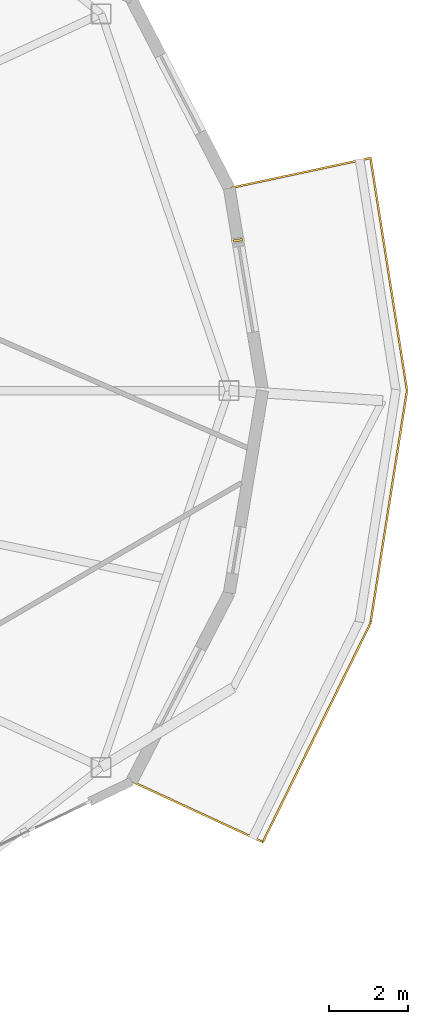
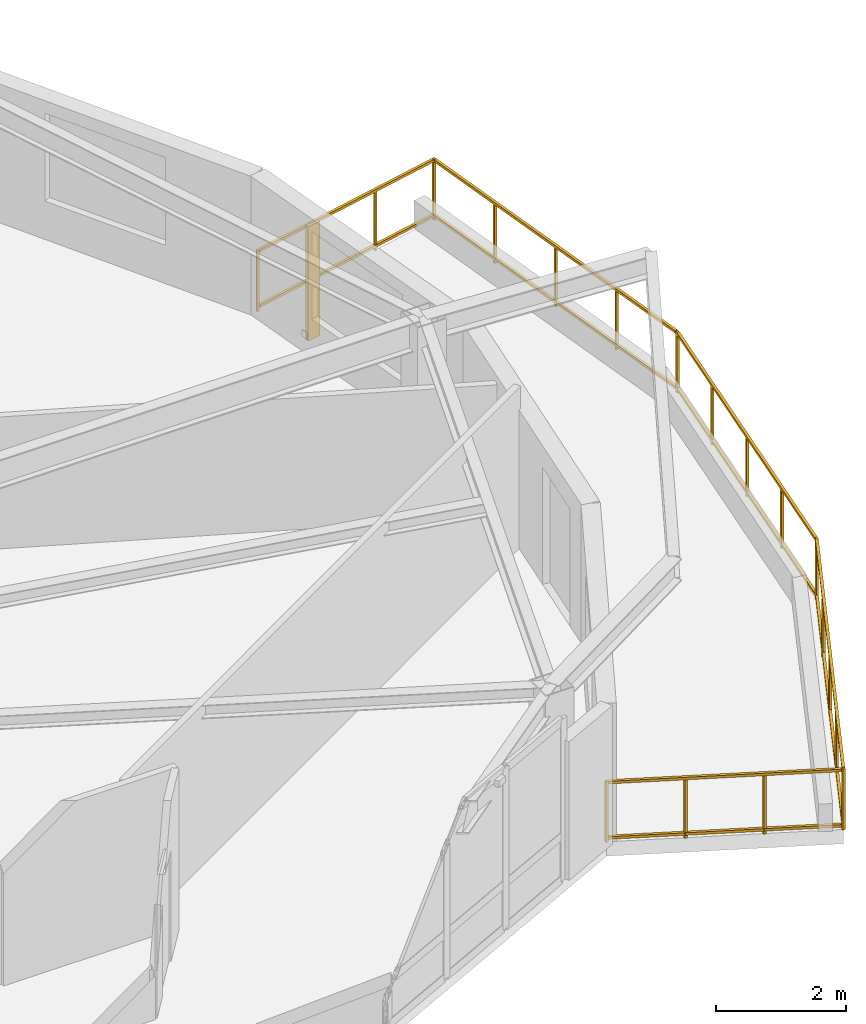
# One storey, part 20 of 21: 1 railing, 1 shading device.
"""IFC4 building model written with IfcOpenShell, lengths in metres."""

from ifc_helpers import new_model, si_unit, direction, frame, origin, origin_2d, place, context, subcontext, project, spatial, rectangle, extrude, material, type_object, element, save


model = new_model("IFC4")

# Units and contexts
model_context = context("Model", 3, precision=1e-05, world=origin(), true_north=direction((0.0, 1.0)))
body_context = subcontext(model_context, "Body", "Model", "MODEL_VIEW")
ifc_project = project(units=[si_unit("LENGTHUNIT", "METRE"), si_unit("AREAUNIT", "SQUARE_METRE"), si_unit("VOLUMEUNIT", "CUBIC_METRE"), si_unit("PLANEANGLEUNIT", "RADIAN"), si_unit("MASSUNIT", "GRAM", prefix="KILO")], contexts=[model_context])

# Site, building, storey
site_placement = place(None, origin())
site = spatial("IfcSite", under=ifc_project, at=site_placement, CompositionType="ELEMENT")
building_placement = place(site_placement, origin())
building = spatial("IfcBuilding", under=site, at=building_placement, Name="Kolvaren Gate Tower and Convention Centre", CompositionType="ELEMENT")
storey_placement = place(building_placement, frame((0.0, 0.0, 226.10009765625)))
storey = spatial("IfcBuildingStorey", under=building, at=storey_placement, Name="L60", CompositionType="ELEMENT", Elevation=226.10009765625)

# Railing
ifc_material_1 = material(Name="Brushed Stainless Steel Grade 316L", Category="steel")
railing_type = type_object("IfcRailingType", Name="ARCH-RL-GUARD-1150", PredefinedType="GUARDRAIL", material=ifc_material_1)
railing_placement = place(storey_placement, frame((51.55908203125, 17.10009765625, 0.0)))
element("IfcRailing", 1, at=railing_placement, inside=storey, type_object=railing_type, Name="Tower L60 Terrace Perimeter Guardrail GR-4", PredefinedType="GUARDRAIL", context=body_context, shape_type="SweptSolid", body=[
    extrude(rectangle(XDim=0.048095703125, YDim=0.048095703125, at=origin_2d()), frame((0.025390625, -0.01171875, 1.1259765625), z_axis=(0.907820723829, -0.419358478377, 0.0), x_axis=(0.419358478377, 0.907820723829, 0.0)), (0.0, 0.0, 1.0), 3.60400390625),
    extrude(rectangle(XDim=0.048095703125, YDim=0.048095703125, at=origin_2d()), frame((0.025390625, -0.01171875, 0.083984375), z_axis=(0.907820723829, -0.419358478377, 0.0), x_axis=(0.419358478377, 0.907820723829, 0.0)), (0.0, 0.0, 1.0), 3.60400390625),
    extrude(rectangle(XDim=0.048095703125, YDim=0.048095703125, at=origin_2d()), frame((3.335205078125, -1.509765625, 1.1259765625), z_axis=(0.441625304244, 0.897199582396, 0.0), x_axis=(-0.897199582396, 0.441625304244, 0.0)), (0.0, 0.0, 1.0), 6.122314453125),
    extrude(rectangle(XDim=0.048095703125, YDim=0.048095703125, at=origin_2d()), frame((3.335205078125, -1.509765625, 0.083984375), z_axis=(0.441625304244, 0.897199582396, 0.0), x_axis=(-0.897199582396, 0.441625304244, 0.0)), (0.0, 0.0, 1.0), 6.122314453125),
    extrude(rectangle(XDim=0.048095703125, YDim=0.048095703125, at=origin_2d()), frame((6.0556640625, 4.035888671875, 1.1259765625), z_axis=(0.155031225865, 0.987909570258, 0.0), x_axis=(-0.987909570258, 0.155031225865, 0.0)), (0.0, 0.0, 1.0), 5.90771484375),
    extrude(rectangle(XDim=0.048095703125, YDim=0.048095703125, at=origin_2d()), frame((6.0556640625, 4.035888671875, 0.083984375), z_axis=(0.155031225865, 0.987909570258, 0.0), x_axis=(-0.987909570258, 0.155031225865, 0.0)), (0.0, 0.0, 1.0), 5.90771484375),
    extrude(rectangle(XDim=0.048095703125, YDim=0.048095703125, at=origin_2d()), frame((6.971435546875, 9.927490234375, 1.1259765625), z_axis=(-0.155031225865, 0.987909570258, 0.0), x_axis=(-0.987909570258, -0.155031225865, 0.0)), (0.0, 0.0, 1.0), 5.90771484375),
    extrude(rectangle(XDim=0.048095703125, YDim=0.048095703125, at=origin_2d()), frame((6.971435546875, 9.927490234375, 0.083984375), z_axis=(-0.155031225865, 0.987909570258, 0.0), x_axis=(-0.987909570258, -0.155031225865, 0.0)), (0.0, 0.0, 1.0), 5.90771484375),
    extrude(rectangle(XDim=0.048095703125, YDim=0.048095703125, at=origin_2d()), frame((6.02392578125, 15.78564453125, 1.1259765625), z_axis=(-0.977788745232, -0.209592866525, 0.0), x_axis=(0.209592866525, -0.977788745232, 0.0)), (0.0, 0.0, 1.0), 3.603759765625),
    extrude(rectangle(XDim=0.048095703125, YDim=0.048095703125, at=origin_2d()), frame((6.02392578125, 15.78564453125, 0.083984375), z_axis=(-0.977788745232, -0.209592866525, 0.0), x_axis=(0.209592866525, -0.977788745232, 0.0)), (0.0, 0.0, 1.0), 3.603759765625),
    extrude(rectangle(XDim=0.0419921875, YDim=0.0419921875, at=origin_2d()), origin(), (0.0, 0.0, 1.0), 1.14990234375),
    extrude(rectangle(XDim=0.0419921875, YDim=0.0419921875, at=origin_2d()), frame((3.32275390625, -1.534912109375, 0.0)), (0.0, 0.0, 1.0), 1.14990234375),
    extrude(rectangle(XDim=0.0419921875, YDim=0.0419921875, at=origin_2d()), frame((1.107666015625, -0.51171875, 0.0)), (0.0, 0.0, 1.0), 1.099853515625),
    extrude(rectangle(XDim=0.0419921875, YDim=0.0419921875, at=origin_2d()), frame((2.215087890625, -1.023193359375, 0.0)), (0.0, 0.0, 1.0), 1.099853515625),
    extrude(rectangle(XDim=0.0419921875, YDim=0.0419921875, at=origin_2d()), frame((6.05126953125, 4.00830078125, 0.0)), (0.0, 0.0, 1.0), 1.14990234375),
    extrude(rectangle(XDim=0.0419921875, YDim=0.0419921875, at=origin_2d()), frame((4.0048828125, -0.149169921875, 0.0)), (0.0, 0.0, 1.0), 1.099853515625),
    extrude(rectangle(XDim=0.0419921875, YDim=0.0419921875, at=origin_2d()), frame((4.68701171875, 1.23681640625, 0.0)), (0.0, 0.0, 1.0), 1.099853515625),
    extrude(rectangle(XDim=0.0419921875, YDim=0.0419921875, at=origin_2d()), frame((5.369140625, 2.62255859375, 0.0)), (0.0, 0.0, 1.0), 1.099853515625),
    extrude(rectangle(XDim=0.0419921875, YDim=0.0419921875, at=origin_2d()), frame((6.975830078125, 9.89990234375, 0.0)), (0.0, 0.0, 1.0), 1.14990234375),
    extrude(rectangle(XDim=0.0419921875, YDim=0.0419921875, at=origin_2d()), frame((6.282470703125, 5.481201171875, 0.0)), (0.0, 0.0, 1.0), 1.099853515625),
    extrude(rectangle(XDim=0.0419921875, YDim=0.0419921875, at=origin_2d()), frame((6.513671875, 6.9541015625, 0.0)), (0.0, 0.0, 1.0), 1.099853515625),
    extrude(rectangle(XDim=0.0419921875, YDim=0.0419921875, at=origin_2d()), frame((6.74462890625, 8.427001953125, 0.0)), (0.0, 0.0, 1.0), 1.099853515625),
    extrude(rectangle(XDim=0.0419921875, YDim=0.0419921875, at=origin_2d()), frame((6.05126953125, 15.79150390625, 0.0)), (0.0, 0.0, 1.0), 1.14990234375),
    extrude(rectangle(XDim=0.0419921875, YDim=0.0419921875, at=origin_2d()), frame((6.74462890625, 11.372802734375, 0.0)), (0.0, 0.0, 1.0), 1.099853515625),
    extrude(rectangle(XDim=0.0419921875, YDim=0.0419921875, at=origin_2d()), frame((6.513671875, 12.845703125, 0.0)), (0.0, 0.0, 1.0), 1.099853515625),
    extrude(rectangle(XDim=0.0419921875, YDim=0.0419921875, at=origin_2d()), frame((6.282470703125, 14.318603515625, 0.0)), (0.0, 0.0, 1.0), 1.099853515625),
    extrude(rectangle(XDim=0.0419921875, YDim=0.0419921875, at=origin_2d()), frame((2.47265625, 15.0244140625, 0.0)), (0.0, 0.0, 1.0), 1.14990234375),
    extrude(rectangle(XDim=0.0419921875, YDim=0.0419921875, at=origin_2d()), frame((4.8583984375, 15.535888671875, 0.0)), (0.0, 0.0, 1.0), 1.099853515625),
    extrude(rectangle(XDim=0.0419921875, YDim=0.0419921875, at=origin_2d()), frame((3.66552734375, 15.280029296875, 0.0)), (0.0, 0.0, 1.0), 1.099853515625),
])

# Shading device
ifc_material_2 = material(Name="Kiln-Fired Bogota Terracotta Ceramic Louvre Profile", Category="masonry")
shading_device_type = type_object("IfcShadingDeviceType", Name="ARCH-SHD-FIN-180", PredefinedType="JALOUSIE", material=ifc_material_2)
shading_device_placement = place(storey_placement, frame((54.248779296875, 30.805419921875, 0.219970703125), z_axis=(0.0, 0.0, 1.0), x_axis=(0.162375401515, -0.986729055508, 0.0)))
element("IfcShadingDevice", 2, at=shading_device_placement, inside=storey, type_object=shading_device_type, Name="Ceramic Vertical Brise-Soleil Fin FN-L60-00", PredefinedType="JALOUSIE", context=body_context, shape_type="SweptSolid", body=[
    extrude(rectangle(XDim=0.06005859375, YDim=0.239990234375, at=origin_2d()), origin(), (0.0, 0.0, 1.0), 2.14990234375),
])

save(model, "model.ifc")
